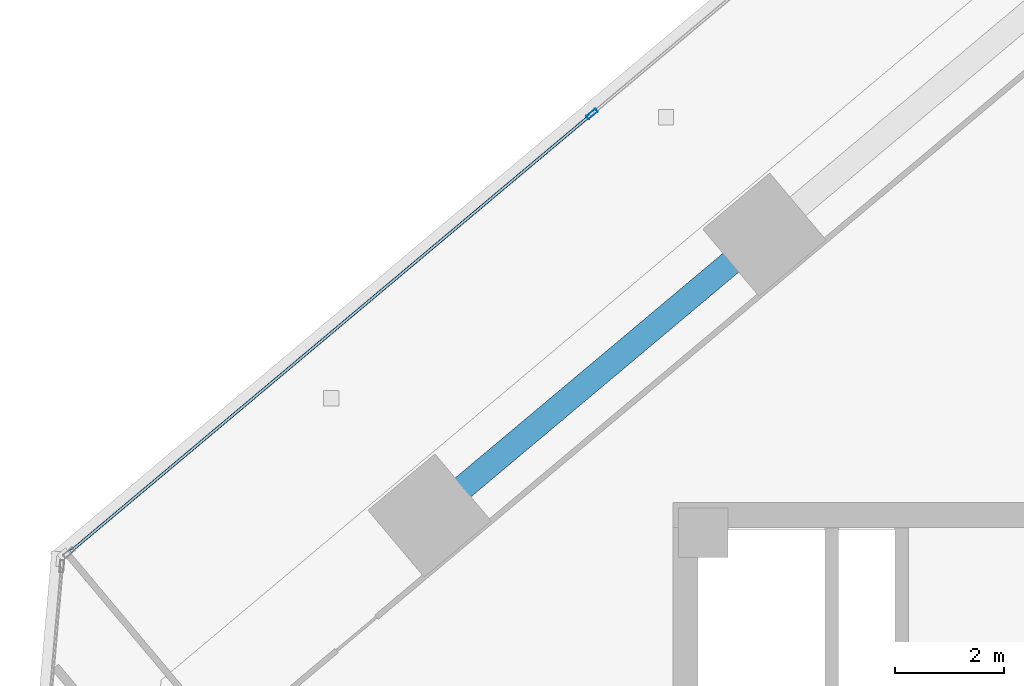
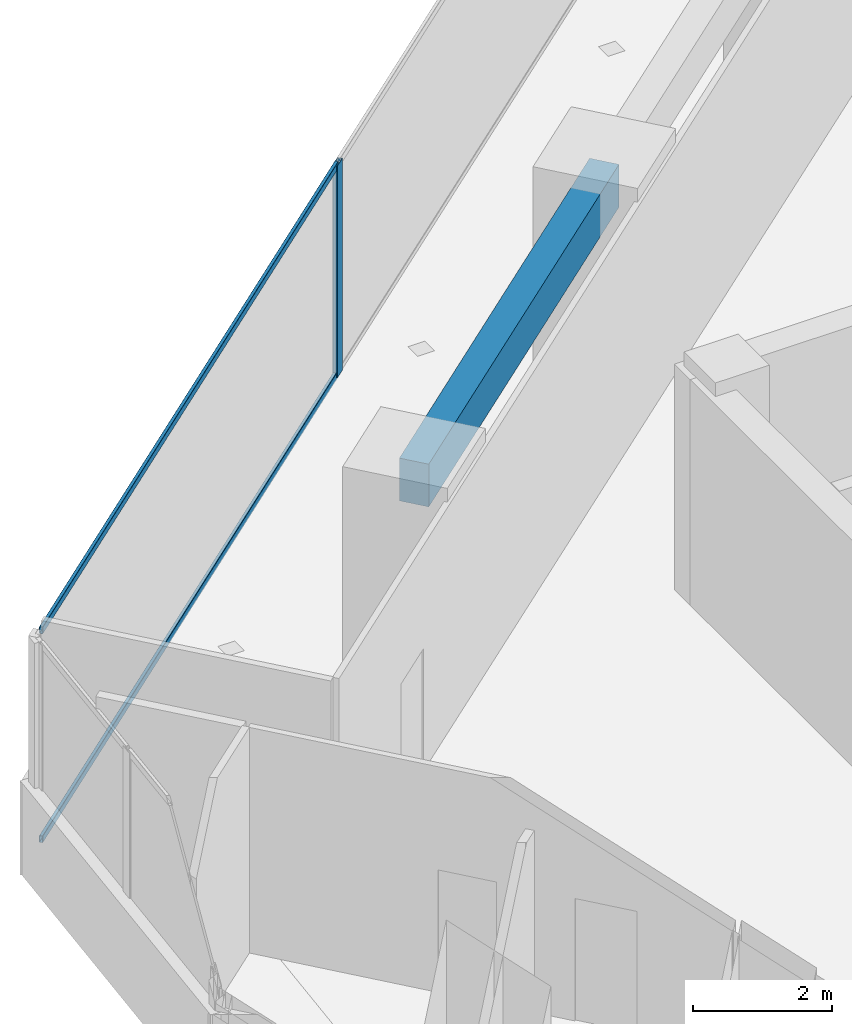
# One storey, part 8 of 17: 3 members, 1 beam, 1 element without a shape of its own.
"""IFC4 building model written with IfcOpenShell, lengths in metres."""

import ifcopenshell
import ifcopenshell.guid

model = None  # the IFC model being written
_history = None  # IfcOwnerHistory: only IFC2X3 demands one
_inside = {}  # id of a spatial element -> (the spatial element, [elements in it])
_under = {}  # id of a project, library or spatial element -> (it, [spatial elements below it])
_declared = {}  # id of a project -> (the project, [libraries it declares])
_typed = {}  # id of a type object -> (the type object, [elements of that type])
_made_of = {}  # id of a material, layer set ... -> (it, [elements and type objects made of it])


def new_model(schema):
    """Start an empty IFC model of exactly this schema.

    Asked for "IFC4X3", IfcOpenShell would pick the latest addendum, in which some entities
    have other attributes; the version numbers below select the first issue.
    IFC2X3 requires an IfcOwnerHistory on every rooted entity: one is made here for all.
    """
    global model, _history
    if schema == "IFC4X3":
        model = ifcopenshell.file(schema_version=(4, 3, 0, 0))
    else:
        model = ifcopenshell.file(schema=schema)
    _inside.clear()
    _under.clear()
    _declared.clear()
    _typed.clear()
    _made_of.clear()
    _history = None
    if model.schema == "IFC2X3":
        org = make("IfcOrganization", Name="unknown")
        user = make(
            "IfcPersonAndOrganization",
            ThePerson=make("IfcPerson", FamilyName="unknown"),
            TheOrganization=org,
        )
        app = make(
            "IfcApplication",
            ApplicationDeveloper=org,
            Version="unknown",
            ApplicationFullName="unknown",
            ApplicationIdentifier="unknown",
        )
        _history = make(
            "IfcOwnerHistory",
            OwningUser=user,
            OwningApplication=app,
            ChangeAction="ADDED",
            CreationDate=0,
        )
    return model


def make(cls, **values):
    """One entity of the class cls with the attributes given. An attribute that is None is left unset."""
    return model.create_entity(
        cls, **{name: value for name, value in values.items() if value is not None}
    )


def rooted(cls, **values):
    """An entity with a GlobalId (a new one), such as an element, a storey or a relation."""
    return make(cls, GlobalId=ifcopenshell.guid.new(), OwnerHistory=_history, **values)


def si_unit(unit_type, name, prefix=None):
    """IfcSIUnit, for example si_unit("LENGTHUNIT", "METRE", prefix="MILLI")."""
    return make("IfcSIUnit", UnitType=unit_type, Prefix=prefix, Name=name)


def assignment(units):
    """IfcUnitAssignment: the units of a project."""
    return None if units is None else make("IfcUnitAssignment", Units=units)


def point(xyz):
    """IfcCartesianPoint."""
    return None if xyz is None else make("IfcCartesianPoint", Coordinates=xyz)


def direction(xyz):
    """IfcDirection."""
    return None if xyz is None else make("IfcDirection", DirectionRatios=xyz)


def frame(location, z_axis=None, x_axis=None):
    """IfcAxis2Placement3D, a coordinate frame: its origin and axes. An axis left out is left unset."""
    return make(
        "IfcAxis2Placement3D",
        Location=point(location),
        Axis=direction(z_axis),
        RefDirection=direction(x_axis),
    )


def frame_2d(location, x_axis=None):
    """IfcAxis2Placement2D, a coordinate frame in the plane: its origin and x axis."""
    return make(
        "IfcAxis2Placement2D", Location=point(location), RefDirection=direction(x_axis)
    )


def origin():
    """The frame at (0, 0, 0) with its axes left unset."""
    return frame((0.0, 0.0, 0.0))


def origin_2d():
    """The frame at (0, 0) in the plane with its x axis left unset."""
    return frame_2d((0.0, 0.0))


def place(relative_to, where):
    """IfcLocalPlacement: puts the frame where relative to a parent placement (None: the world)."""
    return make(
        "IfcLocalPlacement", PlacementRelTo=relative_to, RelativePlacement=where
    )


def context(
    kind, dimensions, precision=None, world=None, true_north=None, identifier=None
):
    """IfcGeometricRepresentationContext, for example the 3D "Model" context."""
    return make(
        "IfcGeometricRepresentationContext",
        ContextIdentifier=identifier,
        ContextType=kind,
        CoordinateSpaceDimension=dimensions,
        Precision=precision,
        WorldCoordinateSystem=world,
        TrueNorth=true_north,
    )


def subcontext(parent, identifier, kind, view, scale=None):
    """IfcGeometricRepresentationSubContext, for example "Body" below "Model"."""
    return make(
        "IfcGeometricRepresentationSubContext",
        ContextIdentifier=identifier,
        ContextType=kind,
        ParentContext=parent,
        TargetScale=scale,
        TargetView=view,
    )


def project(units=None, contexts=None):
    """IfcProject with its units and contexts."""
    return rooted(
        "IfcProject",
        Name="project",
        RepresentationContexts=contexts,
        UnitsInContext=assignment(units),
    )


def spatial(cls, under=None, at=None, **own):
    """A site, building, storey or space (cls), placed at a placement, below another one or the project."""
    s = rooted(cls, ObjectPlacement=at, **own)
    if under is not None:
        _under.setdefault(under.id(), (under, []))[1].append(s)
    return s


def profile(cls, at=None, kind="AREA", **sizes):
    """A parametric profile (cls). Its sizes go by their IFC names, for example OverallWidth=200.0."""
    return make(cls, ProfileType=kind, Position=at, **sizes)


def rectangle(**sizes):
    """IfcRectangleProfileDef."""
    return profile("IfcRectangleProfileDef", **sizes)


def hollow_rectangle(**sizes):
    """IfcRectangleHollowProfileDef."""
    return profile("IfcRectangleHollowProfileDef", **sizes)


def extrude(swept, where, along, depth):
    """IfcExtrudedAreaSolid: the profile swept, set in the frame where, extruded along a direction by depth."""
    return make(
        "IfcExtrudedAreaSolid",
        SweptArea=swept,
        Position=where,
        ExtrudedDirection=direction(along),
        Depth=depth,
    )


def shape(context_of_items, identifier, shape_type, items):
    """IfcShapeRepresentation: the items that make up one representation, for example the "Body"."""
    return make(
        "IfcShapeRepresentation",
        ContextOfItems=context_of_items,
        RepresentationIdentifier=identifier,
        RepresentationType=shape_type,
        Items=items,
    )


def source(mapping_origin, context_of_items, identifier, shape_type, items):
    """IfcRepresentationMap: a shape defined once, which mapped items show again and again."""
    return make(
        "IfcRepresentationMap",
        MappingOrigin=mapping_origin,
        MappedRepresentation=shape(context_of_items, identifier, shape_type, items),
    )


def transform(
    local_origin,
    x_axis=None,
    y_axis=None,
    z_axis=None,
    scale=None,
    scale2=None,
    scale3=None,
    uniform=True,
):
    """IfcCartesianTransformationOperator3D, or its non-uniform kind. x_axis, y_axis, z_axis: its Axis1, 2, 3."""
    if uniform:
        return make(
            "IfcCartesianTransformationOperator3D",
            Axis1=direction(x_axis),
            Axis2=direction(y_axis),
            LocalOrigin=point(local_origin),
            Scale=scale,
            Axis3=direction(z_axis),
        )
    return make(
        "IfcCartesianTransformationOperator3DnonUniform",
        Axis1=direction(x_axis),
        Axis2=direction(y_axis),
        LocalOrigin=point(local_origin),
        Scale=scale,
        Axis3=direction(z_axis),
        Scale2=scale2,
        Scale3=scale3,
    )


def mapped(mapping_source, mapping_target):
    """IfcMappedItem: shows the shape of a source again, moved by a transform."""
    return make(
        "IfcMappedItem", MappingSource=mapping_source, MappingTarget=mapping_target
    )


def material(Name=None, Category=None):
    """IfcMaterial."""
    return make("IfcMaterial", Name=Name, Category=Category)


def material_profile(
    of_material, cross_section, Name=None, Category=None, Priority=None
):
    """IfcMaterialProfile: a cross section and its material."""
    return make(
        "IfcMaterialProfile",
        Name=Name,
        Material=of_material,
        Profile=cross_section,
        Priority=Priority,
        Category=Category,
    )


def profile_set(profiles, Name=None, composite=None):
    """IfcMaterialProfileSet."""
    return make(
        "IfcMaterialProfileSet",
        Name=Name,
        MaterialProfiles=profiles,
        CompositeProfile=composite,
    )


def made_of(thing, what):
    """Note that an element or type object is made of a material, layer set ...; save() writes the relation."""
    if what is not None:
        _made_of.setdefault(what.id(), (what, []))[1].append(thing)
    return thing


def type_object(cls, material=None, **own):
    """A type object (cls), such as IfcWallType, which elements share."""
    return made_of(rooted(cls, **own), material)


def element(
    cls,
    number,
    at=None,
    inside=None,
    cuts=None,
    type_object=None,
    material=None,
    context=None,
    identifier="Body",
    shape_type=None,
    held_by="IfcProductDefinitionShape",
    body=None,
    shapes=None,
    **own,
):
    """One element of the class cls, such as IfcWall. Its Tag is "e" and its number.

    at: its placement. inside: the storey or other place that contains it. cuts: it is an
    opening in that element (IfcRelVoidsElement). A single representation is given by context,
    identifier, shape_type and body (its items); several are given by shapes. held_by: the class
    of the entity that holds the representations. save() writes the other relations.
    """
    e = rooted(cls, Tag="e%d" % number, ObjectPlacement=at, **own)
    if body is not None:
        shapes = [shape(context, identifier, shape_type, body)]
    if shapes is not None:
        e.Representation = make(held_by, Representations=shapes)
    if inside is not None:
        _inside.setdefault(inside.id(), (inside, []))[1].append(e)
    if cuts is not None:
        rooted(
            "IfcRelVoidsElement", RelatingBuildingElement=cuts, RelatedOpeningElement=e
        )
    if type_object is not None:
        _typed.setdefault(type_object.id(), (type_object, []))[1].append(e)
    return made_of(e, material)


def aggregate(whole, parts):
    """IfcRelAggregates: a whole, such as a stair, and the parts it consists of."""
    return rooted("IfcRelAggregates", RelatingObject=whole, RelatedObjects=parts)


def save(model, path):
    """Write the relations noted so far, then the file.

    IfcRelAggregates (storeys below a building ...), IfcRelContainedInSpatialStructure (elements
    in a storey), IfcRelDefinesByType, IfcRelAssociatesMaterial and IfcRelDeclares: one each for
    every whole, place, type object, material and project.
    """
    for whole, parts in _under.values():
        aggregate(whole, parts)
    for where, things in _inside.values():
        rooted(
            "IfcRelContainedInSpatialStructure",
            RelatedElements=things,
            RelatingStructure=where,
        )
    for kind, things in _typed.values():
        rooted("IfcRelDefinesByType", RelatedObjects=things, RelatingType=kind)
    for what, things in _made_of.values():
        rooted("IfcRelAssociatesMaterial", RelatedObjects=things, RelatingMaterial=what)
    for by, libraries in _declared.values():
        rooted("IfcRelDeclares", RelatingContext=by, RelatedDefinitions=libraries)
    model.write(path)


model = new_model("IFC4")

# Units and contexts
model_context = context("Model", 3, precision=1e-05, world=origin(), true_north=direction((0.0, 1.0)))
body_context = subcontext(model_context, "Body", "Model", "MODEL_VIEW")
ifc_project = project(units=[si_unit("LENGTHUNIT", "METRE"), si_unit("AREAUNIT", "SQUARE_METRE"), si_unit("VOLUMEUNIT", "CUBIC_METRE"), si_unit("PLANEANGLEUNIT", "RADIAN"), si_unit("MASSUNIT", "GRAM", prefix="KILO")], contexts=[model_context])

# Site, building, storey
site_placement = place(None, origin())
site = spatial("IfcSite", under=ifc_project, at=site_placement, CompositionType="ELEMENT")
building_placement = place(site_placement, origin())
building = spatial("IfcBuilding", under=site, at=building_placement, Name="Torre Montelarca", CompositionType="ELEMENT")
storey_placement = place(building_placement, frame((0.0, 0.0, 266.800048828125)))
storey = spatial("IfcBuildingStorey", under=building, at=storey_placement, Name="L60", CompositionType="ELEMENT", Elevation=266.800048828125)

# Beam
ifc_material_1 = material(Name="Concrete C55/67", Category="concrete")
ifc_material_profile_1 = material_profile(ifc_material_1, rectangle(XDim=0.449951171875, YDim=0.75, at=origin_2d()), Name="RCB450X750", Category="concrete")
ifc_profile_set_1 = profile_set([ifc_material_profile_1], Name="Concrete C55/67")
beam_type = type_object("IfcBeamType", Name="BM-SP-RC750-EXT", PredefinedType="SPANDREL", material=ifc_profile_set_1)
shared_shape_1 = source(origin(), body_context, "Body", "SweptSolid", [
    extrude(rectangle(XDim=0.449951171875, YDim=0.75, at=origin_2d()), origin(), (0.0, 0.0, 1.0), 8.0),
])
beam_placement = place(storey_placement, frame((4.540771484375, 39.765380859375, 3.5849609375), z_axis=(0.766033019958, 0.642801223034, 0.0), x_axis=(-0.642801223034, 0.766033019958, 0.0)))
element("IfcBeam", 1, at=beam_placement, inside=storey, type_object=beam_type, Name="L60 Grid Girder Y 24.0-32.0 at X=4.7", PredefinedType="SPANDREL", context=body_context, shape_type="MappedRepresentation", body=[
    mapped(shared_shape_1, transform((0.0, 0.0, 0.0), scale=1.0)),
])

# Curtain wall, members
ifc_material_2 = material(Name="Insulated low-E laminated glass", Category="glass")
curtain_wall_type = type_object("IfcCurtainWallType", Name="CW-SYS-Z3", PredefinedType="USERDEFINED", material=ifc_material_2)
curtain_wall_placement = place(storey_placement, origin())
curtain_wall = element("IfcCurtainWall", 2, at=curtain_wall_placement, inside=storey, type_object=curtain_wall_type, Name="L60 Curtain Wall Run CW-T3-L60-E10-B1", ObjectType="UNITISED GLAZING", PredefinedType="USERDEFINED")
ifc_material_3 = material(Name="Anodised aluminium AA 6063-T6", Category="aluminium")
ifc_material_profile_2 = material_profile(ifc_material_3, hollow_rectangle(XDim=0.054931640625, YDim=0.1201171875, WallThickness=0.00341796875, InnerFilletRadius=0.00341796875, OuterFilletRadius=0.007080078125, at=origin_2d()), Name="ALU55X120X3.5", Category="aluminium")
ifc_profile_set_2 = profile_set([ifc_material_profile_2], Name="Anodised aluminium AA 6063-T6")
member_type_1 = type_object("IfcMemberType", Name="CWT-ALU120", PredefinedType="USERDEFINED", material=ifc_profile_set_2)
shared_shape_2 = source(origin(), body_context, "Body", "SweptSolid", [
    extrude(hollow_rectangle(XDim=0.054931640625, YDim=0.1201171875, WallThickness=0.00341796875, InnerFilletRadius=0.00341796875, OuterFilletRadius=0.007080078125, at=origin_2d()), origin(), (0.0, 0.0, 1.0), 12.421630859375),
])
member_1_placement = place(storey_placement, frame((7.483154296875, 47.090576171875, 0.02734375), z_axis=(-0.766051674656, -0.642778991378, 0.0), x_axis=(0.642778991378, -0.766051674656, 0.0)))
member_1 = element("IfcMember", 3, at=member_1_placement, type_object=member_type_1, Name="CW transom 2.1", ObjectType="TRANSOM", PredefinedType="USERDEFINED", context=body_context, shape_type="MappedRepresentation", body=[
    mapped(shared_shape_2, transform((0.0, 0.0, 0.0), scale=1.0)),
])
member_2_placement = place(storey_placement, frame((7.483154296875, 47.090576171875, 3.6923828125), z_axis=(-0.766051674656, -0.642778991378, 0.0), x_axis=(0.642778991378, -0.766051674656, 0.0)))
member_2 = element("IfcMember", 4, at=member_2_placement, type_object=member_type_1, Name="CW transom 2.2", ObjectType="TRANSOM", PredefinedType="USERDEFINED", context=body_context, shape_type="MappedRepresentation", body=[
    mapped(shared_shape_2, transform((0.0, 0.0, 0.0), scale=1.0)),
])
ifc_material_profile_3 = material_profile(ifc_material_3, hollow_rectangle(XDim=0.074951171875, YDim=0.219970703125, WallThickness=0.0048828125, InnerFilletRadius=0.0048828125, OuterFilletRadius=0.010009765625, at=origin_2d()), Name="ALU75X220X5", Category="aluminium")
ifc_profile_set_3 = profile_set([ifc_material_profile_3], Name="Anodised aluminium AA 6063-T6")
member_type_2 = type_object("IfcMemberType", Name="CWM-ALU220", PredefinedType="MULLION", material=ifc_profile_set_3)
shared_shape_3 = source(origin(), body_context, "Body", "SweptSolid", [
    extrude(hollow_rectangle(XDim=0.074951171875, YDim=0.219970703125, WallThickness=0.0048828125, InnerFilletRadius=0.0048828125, OuterFilletRadius=0.010009765625, at=origin_2d()), origin(), (0.0, 0.0, 1.0), 3.719970703125),
])
member_3_placement = place(storey_placement, frame((7.51171875, 47.11474609375, 0.0), z_axis=(0.0, 0.0, 1.0), x_axis=(0.642788408931, -0.766043772472, 0.0)))
member_3 = element("IfcMember", 5, at=member_3_placement, type_object=member_type_2, Name="CW mullion 2", PredefinedType="MULLION", context=body_context, shape_type="MappedRepresentation", body=[
    mapped(shared_shape_3, transform((0.0, 0.0, 0.0), scale=1.0)),
])
aggregate(curtain_wall, [member_3, member_1, member_2])

save(model, "model.ifc")
